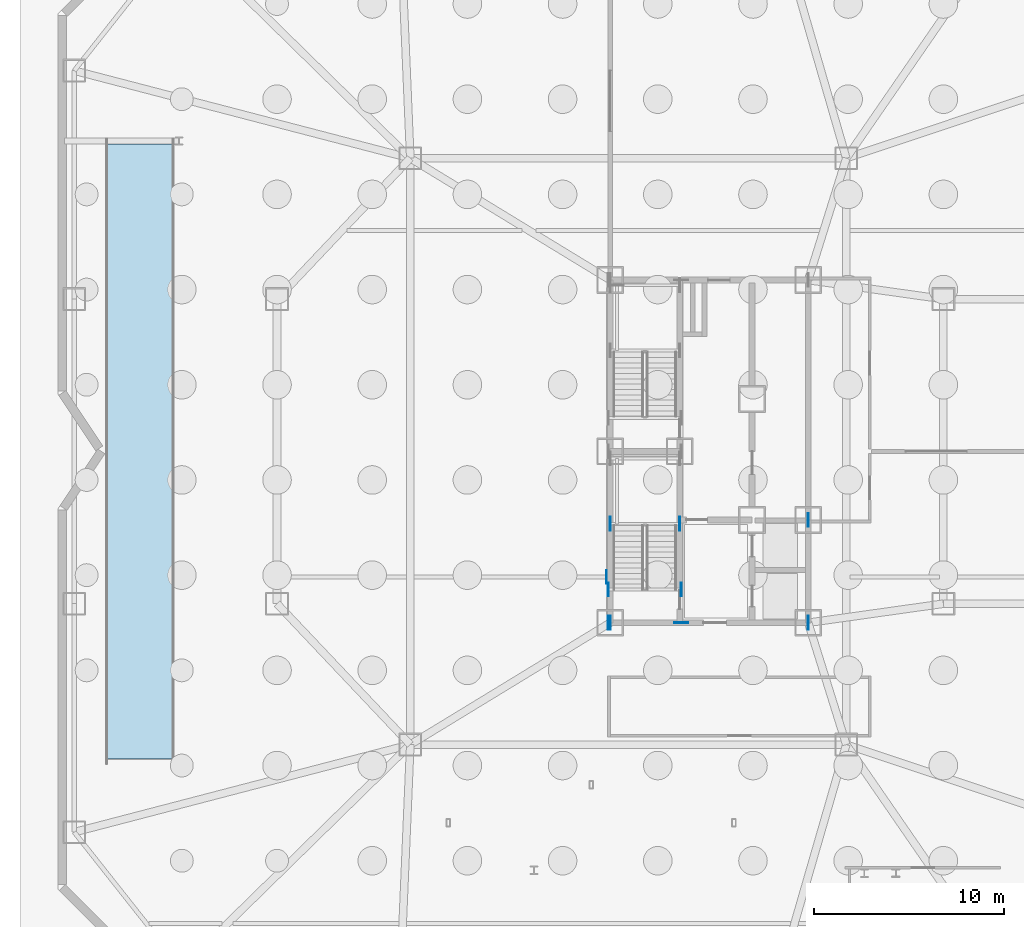
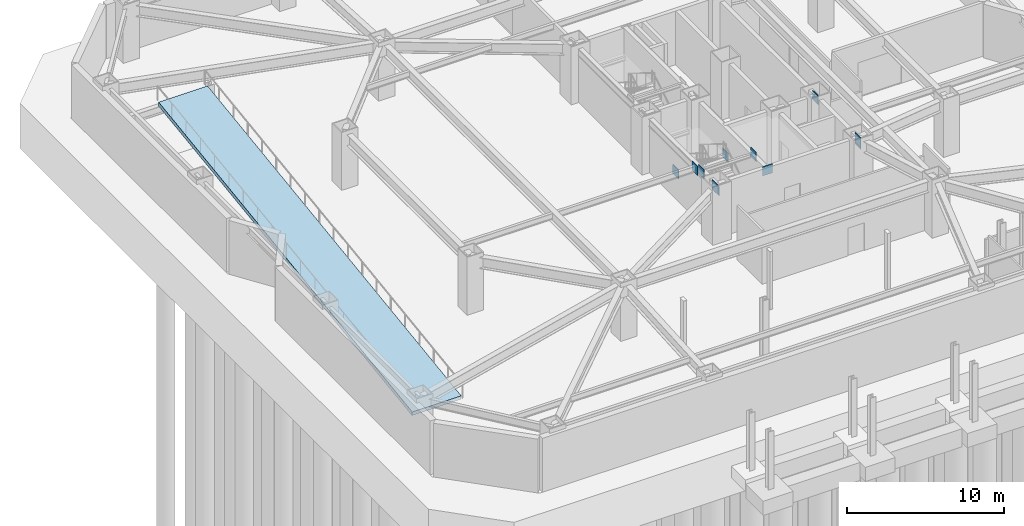
# One storey, part 7 of 15: 11 plates, 1 slab.
"""IFC4 building model written with IfcOpenShell, lengths in metres."""

from ifc_helpers import new_model, si_unit, direction, frame, origin, origin_2d, place, context, subcontext, project, spatial, polyline, rectangle, outline, extrude, material, layer, layer_set, type_object, element, save


model = new_model("IFC4")

# Units and contexts
model_context = context("Model", 3, precision=1e-05, world=origin(), true_north=direction((0.0, 1.0)))
body_context = subcontext(model_context, "Body", "Model", "MODEL_VIEW")
ifc_project = project(units=[si_unit("LENGTHUNIT", "METRE"), si_unit("AREAUNIT", "SQUARE_METRE"), si_unit("VOLUMEUNIT", "CUBIC_METRE"), si_unit("PLANEANGLEUNIT", "RADIAN"), si_unit("MASSUNIT", "GRAM", prefix="KILO")], contexts=[model_context])

# Site, building, storey
site_placement = place(None, origin())
site = spatial("IfcSite", under=ifc_project, at=site_placement, CompositionType="ELEMENT")
building_placement = place(site_placement, origin())
building = spatial("IfcBuilding", under=site, at=building_placement, Name="Khamvora Tower", CompositionType="ELEMENT")
storey_placement = place(building_placement, frame((0.0, 0.0, -9.0)))
storey = spatial("IfcBuildingStorey", under=building, at=storey_placement, Name="B2", CompositionType="ELEMENT", Elevation=-9.0)

# Plates
ifc_material_1 = material(Name="Steel S460", Category="steel")
ifc_layer_1 = layer(ifc_material_1, 0.034912109375)
ifc_layer_set_1 = layer_set([ifc_layer_1], Name="Steel S460")
plate_type = type_object("IfcPlateType", Name="PL-EMB-35", PredefinedType="SHEET", material=ifc_layer_set_1)
for number, where, z_axis, x_axis, name in (
    (1, (29.0, 24.195068359375, 1.55908203125), (0.0, 0.0, 1.0), (1.0, 0.0, 0.0), "B2 core shear wall cast-in embed plate 0001"),
    (2, (32.64990234375, 24.195068359375, 1.55908203125), (0.0, 0.0, 1.0), (1.0, 0.0, 0.0), "B2 core shear wall cast-in embed plate 0002"),
    (3, (29.0, 19.0, 3.39208984375), (0.0, 0.0, 1.0), (1.0, 0.0, 0.0), "B2 core shear wall cast-in embed plate 0010"),
    (4, (39.39990234375, 19.0, 3.39208984375), (0.0, 0.0, 1.0), (1.0, 0.0, 0.0), "B2 core shear wall cast-in embed plate 0011"),
    (5, (28.89990234375, 19.0, 3.55322265625), (0.0, 0.0, 1.0), (1.0, 0.0, 0.0), "B2 core shear wall cast-in embed plate 0014"),
):
    element("IfcPlate", number, at=place(storey_placement, frame(where, z_axis=z_axis, x_axis=x_axis)), inside=storey, type_object=plate_type, Name=name, PredefinedType="SHEET", context=body_context, shape_type="SweptSolid", body=[
        extrude(rectangle(XDim=0.034912109375, YDim=0.719970703125, at=origin_2d()), origin(), (0.0, 0.0, 1.0), 0.719970703125),
    ])
plate_placement = place(storey_placement, frame((32.72998046875, 19.0, 3.55322265625), z_axis=(0.0, 0.0, 1.0), x_axis=(1.0, 0.0, 0.0)))
element("IfcPlate", 6, at=plate_placement, inside=storey, type_object=plate_type, Name="B2 core shear wall cast-in embed plate 0017", PredefinedType="SHEET", context=body_context, shape_type="SweptSolid", body=[
    extrude(rectangle(XDim=0.719970703125, YDim=0.034912109375, at=origin_2d()), origin(), (0.0, 0.0, 1.0), 0.719970703125),
])
for number, where, z_axis, x_axis, name in (
    (7, (39.39990234375, 19.0, 3.55322265625), (0.0, 0.0, 1.0), (1.0, 0.0, 0.0), "B2 core shear wall cast-in embed plate 0020"),
    (8, (39.39990234375, 24.39990234375, 3.55322265625), (0.0, 0.0, 1.0), (1.0, 0.0, 0.0), "B2 core shear wall cast-in embed plate 0021"),
    (9, (28.89990234375, 20.75, 3.69384765625), (0.0, 0.0, 1.0), (1.0, 0.0, 0.0), "B2 core shear wall cast-in embed plate 0023"),
    (10, (32.72998046875, 20.75, 3.69384765625), (0.0, 0.0, 1.0), (1.0, 0.0, 0.0), "B2 core shear wall cast-in embed plate 0024"),
    (11, (28.800048828125, 21.39990234375, 3.5888671875), (0.0, 0.0, 1.0), (1.0, 0.0, 0.0), "B2 core shear wall cast-in embed plate 0027"),
):
    element("IfcPlate", number, at=place(storey_placement, frame(where, z_axis=z_axis, x_axis=x_axis)), inside=storey, type_object=plate_type, Name=name, PredefinedType="SHEET", context=body_context, shape_type="SweptSolid", body=[
        extrude(rectangle(XDim=0.034912109375, YDim=0.719970703125, at=origin_2d()), origin(), (0.0, 0.0, 1.0), 0.719970703125),
    ])

# Slab
ifc_material_2 = material(Name="Concrete C40/50", Category="concrete")
ifc_layer_2 = layer(ifc_material_2, 0.300048828125)
ifc_layer_set_2 = layer_set([ifc_layer_2], Name="Concrete C40/50")
slab_type = type_object("IfcSlabType", Name="SLB-VRMP-300", PredefinedType="FLOOR", material=ifc_layer_set_2)
slab_placement = place(storey_placement, frame((6.10009765625, 11.85009765625, 0.0), z_axis=(0.0, -0.137987000945, 0.99043403999), x_axis=(0.0, 0.99043403999, 0.137987000945)))
element("IfcSlab", 12, at=slab_placement, inside=storey, type_object=slab_type, Name="B2 lower basement car park vehicle ramp slab", PredefinedType="FLOOR", context=body_context, shape_type="SweptSolid", body=[
    extrude(outline(polyline([(0.0, 0.0), (32.61176755176952, 0.0), (32.61176755176952, 3.60009765625), (0.0, 3.60009765625), (0.0, 0.0)])), origin(), (0.0, 0.0, -1.0), 0.300048828125),
])

save(model, "model.ifc")
